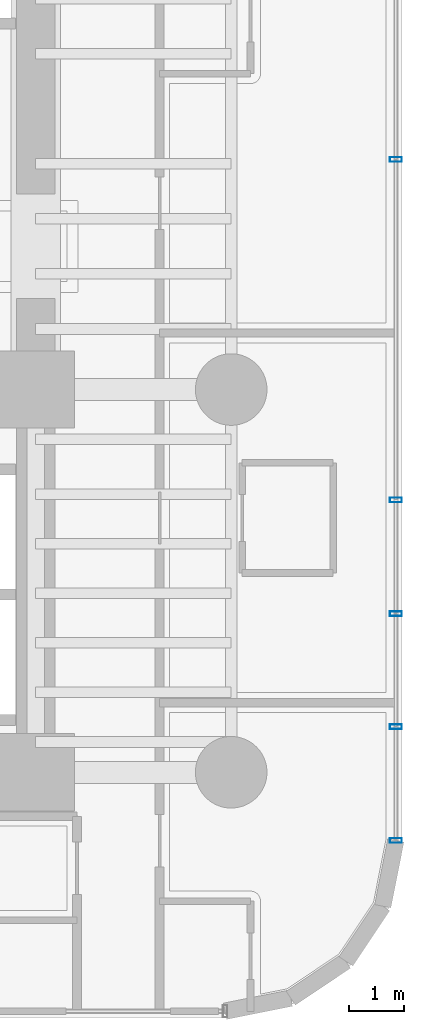
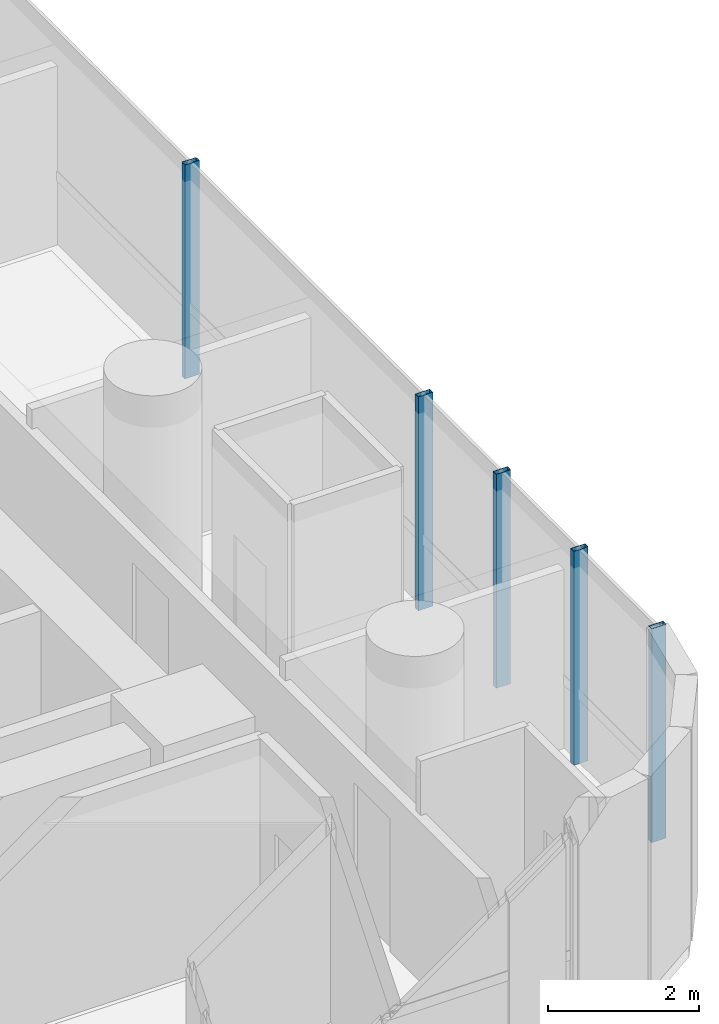
# One storey, part 25 of 40: 5 members, 1 element without a shape of its own.
"""IFC4 building model written with IfcOpenShell, lengths in metres."""

from ifc_helpers import new_model, si_unit, direction, frame, origin, origin_2d, place, context, subcontext, project, spatial, hollow_rectangle, extrude, source, transform, mapped, material, material_profile, profile_set, type_object, element, aggregate, save


model = new_model("IFC4")

# Units and contexts
model_context = context("Model", 3, precision=1e-05, world=origin(), true_north=direction((0.0, 1.0)))
body_context = subcontext(model_context, "Body", "Model", "MODEL_VIEW")
ifc_project = project(units=[si_unit("LENGTHUNIT", "METRE"), si_unit("AREAUNIT", "SQUARE_METRE"), si_unit("VOLUMEUNIT", "CUBIC_METRE"), si_unit("PLANEANGLEUNIT", "RADIAN"), si_unit("MASSUNIT", "GRAM", prefix="KILO")], contexts=[model_context])

# Site, building, storey
site_placement = place(None, origin())
site = spatial("IfcSite", under=ifc_project, at=site_placement, CompositionType="ELEMENT")
building_placement = place(site_placement, origin())
building = spatial("IfcBuilding", under=site, at=building_placement, Name="Valdorenza Pilgrim Sanctuary Tower", CompositionType="ELEMENT")
storey_placement = place(building_placement, frame((0.0, 0.0, 66.699951171875)))
storey = spatial("IfcBuildingStorey", under=building, at=storey_placement, Name="L16", CompositionType="ELEMENT", Elevation=66.699951171875)

# Curtain wall, members
ifc_material_1 = material(Name="Curtain-wall IGU glazing", Category="glass")
curtain_wall_type = type_object("IfcCurtainWallType", Name="CW-SYS-03", PredefinedType="NOTDEFINED", material=ifc_material_1)
curtain_wall_placement = place(storey_placement, origin())
curtain_wall = element("IfcCurtainWall", 1, at=curtain_wall_placement, inside=storey, type_object=curtain_wall_type, Name="L16 Curtain Wall CW-L16-1-21", PredefinedType="NOTDEFINED")
ifc_material_2 = material(Name="Anodised aluminium AW-6060", Category="aluminium")
ifc_material_profile = material_profile(ifc_material_2, hollow_rectangle(XDim=0.0849609375, YDim=0.219970703125, WallThickness=0.0048828125, at=origin_2d()), Name="ALU-M 220x85x5")
ifc_profile_set = profile_set([ifc_material_profile], Name="Anodised aluminium AW-6060")
member_type = type_object("IfcMemberType", Name="CW-MUL-03", PredefinedType="MULLION", material=ifc_profile_set)
shared_shape = source(origin(), body_context, "Body", "SweptSolid", [
    extrude(hollow_rectangle(XDim=0.0849609375, YDim=0.219970703125, WallThickness=0.0048828125, at=origin_2d()), origin(), (0.0, 0.0, 1.0), 3.4599609375),
])
member_1_placement = place(storey_placement, frame((31.389892578125, 1.577880859375, 0.0), z_axis=(0.0, 0.0, 1.0), x_axis=(0.0, -1.0, 0.0)))
member_1 = element("IfcMember", 2, at=member_1_placement, type_object=member_type, Name="CW-L16-1-21 Mullion 3", PredefinedType="MULLION", context=body_context, shape_type="MappedRepresentation", body=[
    mapped(shared_shape, transform((0.0, 0.0, 0.0), x_axis=(1.0, 0.0, 0.0), y_axis=(0.0, 1.0, 0.0), z_axis=(0.0, 0.0, 1.0), scale=1.0)),
])
member_2_placement = place(storey_placement, frame((31.389892578125, -4.605712890625, 0.0), z_axis=(0.0, 0.0, 1.0), x_axis=(0.0, -1.0, 0.0)))
member_2 = element("IfcMember", 3, at=member_2_placement, type_object=member_type, Name="CW-L16-1-21 Mullion 4", PredefinedType="MULLION", context=body_context, shape_type="MappedRepresentation", body=[
    mapped(shared_shape, transform((0.0, 0.0, 0.0), x_axis=(1.0, 0.0, 0.0), y_axis=(0.0, 1.0, 0.0), z_axis=(0.0, 0.0, 1.0), scale=1.0)),
])
member_3_placement = place(storey_placement, frame((31.389892578125, -10.789306640625, 0.0), z_axis=(0.0, 0.0, 1.0), x_axis=(0.0, -1.0, 0.0)))
member_3 = element("IfcMember", 4, at=member_3_placement, type_object=member_type, Name="CW-L16-1-21 Mullion 5", PredefinedType="MULLION", context=body_context, shape_type="MappedRepresentation", body=[
    mapped(shared_shape, transform((0.0, 0.0, 0.0), x_axis=(1.0, 0.0, 0.0), y_axis=(0.0, 1.0, 0.0), z_axis=(0.0, 0.0, 1.0), scale=1.0)),
])
member_4_placement = place(storey_placement, frame((31.389892578125, -6.670166015625, 0.0), z_axis=(0.0, 0.0, 1.0), x_axis=(0.0, -1.0, 0.0)))
member_4 = element("IfcMember", 5, at=member_4_placement, type_object=member_type, Name="CW-L16-1-21 Sub-Mullion 24-1", PredefinedType="MULLION", context=body_context, shape_type="MappedRepresentation", body=[
    mapped(shared_shape, transform((0.0, 0.0, 0.0), x_axis=(1.0, 0.0, 0.0), y_axis=(0.0, 1.0, 0.0), z_axis=(0.0, 0.0, 1.0), scale=1.0)),
])
member_5_placement = place(storey_placement, frame((31.389892578125, -8.724609375, 0.0), z_axis=(0.0, 0.0, 1.0), x_axis=(0.0, -1.0, 0.0)))
member_5 = element("IfcMember", 6, at=member_5_placement, type_object=member_type, Name="CW-L16-1-21 Sub-Mullion 24-2", PredefinedType="MULLION", context=body_context, shape_type="MappedRepresentation", body=[
    mapped(shared_shape, transform((0.0, 0.0, 0.0), x_axis=(1.0, 0.0, 0.0), y_axis=(0.0, 1.0, 0.0), z_axis=(0.0, 0.0, 1.0), scale=1.0)),
])
aggregate(curtain_wall, [member_1, member_2, member_3, member_4, member_5])

save(model, "model.ifc")
